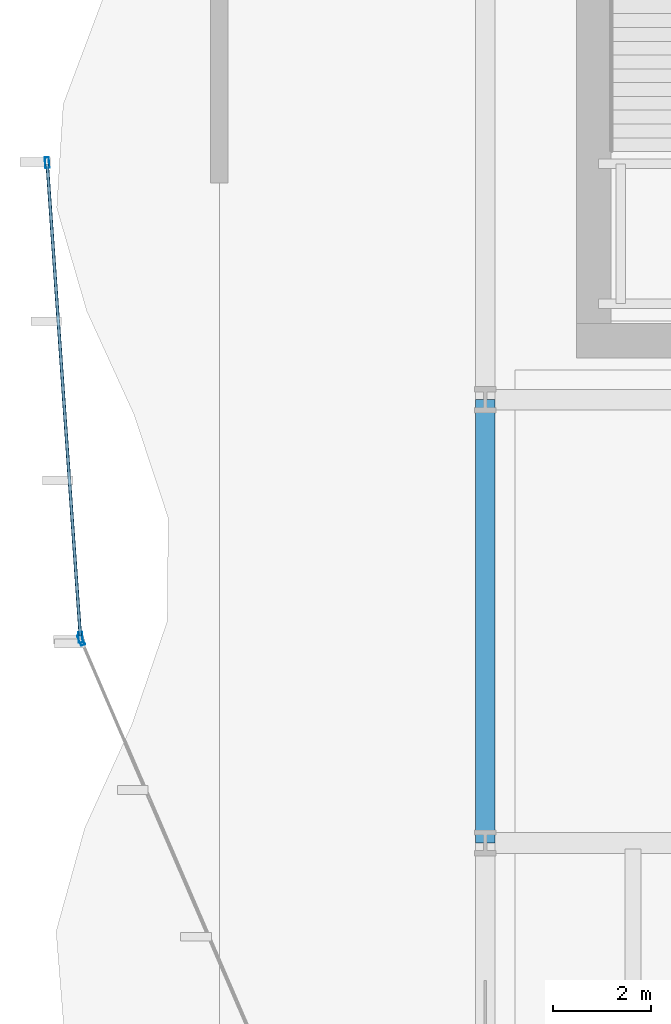
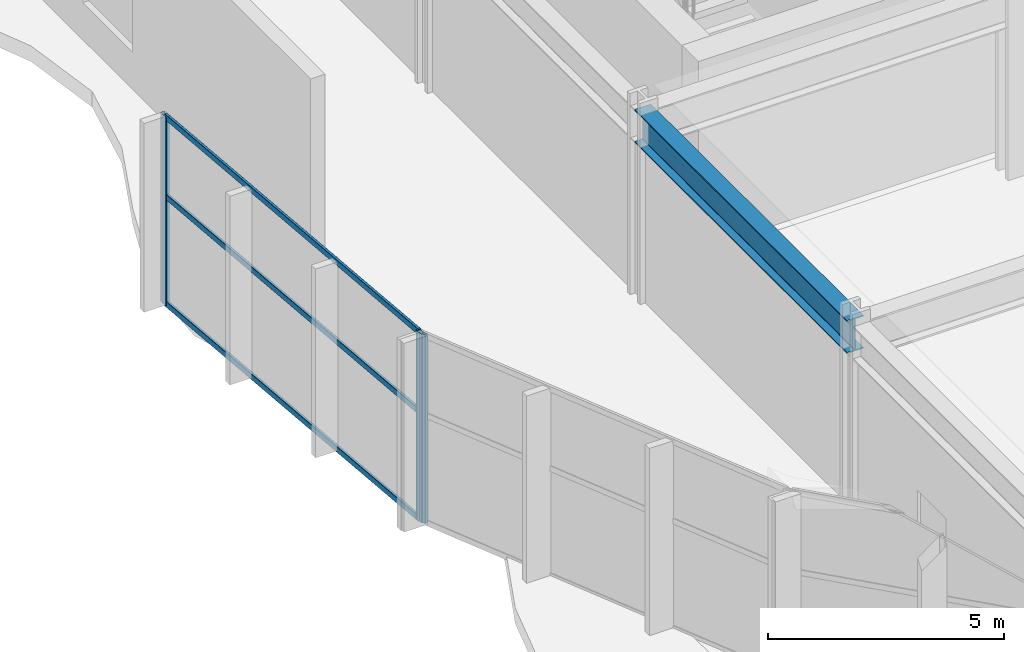
# One storey, part 5 of 31: 6 members, 1 beam, 2 elements without a shape of their own.
"""IFC4 building model written with IfcOpenShell, lengths in metres."""

from ifc_helpers import new_model, si_unit, direction, frame, origin, origin_2d, place, context, subcontext, project, spatial, hollow_rectangle, i_section, extrude, material, layer, layer_set, material_profile, profile_set, type_object, element, aggregate, save


model = new_model("IFC4")

# Units and contexts
model_context = context("Model", 3, precision=1e-05, world=origin(), true_north=direction((0.0, 1.0)))
body_context = subcontext(model_context, "Body", "Model", "MODEL_VIEW")
ifc_project = project(units=[si_unit("LENGTHUNIT", "METRE"), si_unit("AREAUNIT", "SQUARE_METRE"), si_unit("VOLUMEUNIT", "CUBIC_METRE"), si_unit("PLANEANGLEUNIT", "RADIAN"), si_unit("MASSUNIT", "GRAM", prefix="KILO")], contexts=[model_context])

# Site, building, storey
site_placement = place(None, origin())
site = spatial("IfcSite", under=ifc_project, at=site_placement, CompositionType="ELEMENT")
building_placement = place(site_placement, origin())
building = spatial("IfcBuilding", under=site, at=building_placement, Name="Solvaryn Broadcast Tower", CompositionType="ELEMENT")
storey_placement = place(building_placement, frame((0.0, 0.0, 11.0)))
storey = spatial("IfcBuildingStorey", under=building, at=storey_placement, Name="L02", CompositionType="ELEMENT", Elevation=11.0)

# Beam
ifc_material_1 = material(Name="Steel ASTM A992 Grade 50", Category="steel")
ifc_material_profile_1 = material_profile(ifc_material_1, i_section(OverallWidth=0.39990234375, OverallDepth=0.85498046875, WebThickness=0.018310546875, FlangeThickness=0.029296875, FilletRadius=0.02001953125, at=origin_2d()))
ifc_profile_set_1 = profile_set([ifc_material_profile_1], Name="Steel ASTM A992 Grade 50")
beam_type = type_object("IfcBeamType", Name="BM-G3-W33X201", PredefinedType="BEAM", material=ifc_profile_set_1)
beam_placement = place(storey_placement, frame((9.0, 18.0, 4.452392578125), z_axis=(0.0, 1.0, 0.0), x_axis=(-1.0, 0.0, 0.0)))
element("IfcBeam", 1, at=beam_placement, inside=storey, type_object=beam_type, Name="L02 Primary Beam Y (18-27 @ X=9)", PredefinedType="BEAM", context=body_context, shape_type="SweptSolid", body=[
    extrude(i_section(OverallWidth=0.39990234375, OverallDepth=0.85498046875, WebThickness=0.018310546875, FlangeThickness=0.029296875, FilletRadius=0.02001953125, at=origin_2d()), origin(), (0.0, 0.0, 1.0), 9.0),
])

# Curtain wall, members
ifc_material_2 = material(Name="Aluminium and Terracotta Unitised Curtain Wall", Category="masonry")
ifc_layer = layer(ifc_material_2, 0.219970703125)
ifc_layer_set = layer_set([ifc_layer], Name="CW-SYS1-PODIUM")
curtain_wall_type = type_object("IfcCurtainWallType", Name="CW-SYS1-PODIUM", PredefinedType="NOTDEFINED", material=ifc_layer_set)
curtain_wall_1_placement = place(storey_placement, origin())
curtain_wall_1 = element("IfcCurtainWall", 2, at=curtain_wall_1_placement, inside=storey, type_object=curtain_wall_type, Name="L02 Podium Curtain Wall DC1", PredefinedType="NOTDEFINED")
ifc_material_3 = material(Name="Anodised Aluminium 6063-T6", Category="aluminium")
ifc_material_profile_2 = material_profile(ifc_material_3, hollow_rectangle(XDim=0.0849609375, YDim=0.219970703125, WallThickness=0.0048828125, InnerFilletRadius=0.0048828125, OuterFilletRadius=0.010009765625, at=origin_2d()))
ifc_profile_set_2 = profile_set([ifc_material_profile_2], Name="Anodised Aluminium 6063-T6")
member_type_1 = type_object("IfcMemberType", Name="CW-MUL-220", PredefinedType="MULLION", material=ifc_profile_set_2)
member_1_placement = place(storey_placement, frame((0.10205078125, 31.815185546875, 0.0), z_axis=(0.0, 0.0, 1.0), x_axis=(0.997545627289, 0.070019436418, 0.0)))
member_1 = element("IfcMember", 3, at=member_1_placement, type_object=member_type_1, Name="CWS1 mullion 1", PredefinedType="MULLION", context=body_context, shape_type="SweptSolid", body=[
    extrude(hollow_rectangle(XDim=0.0849609375, YDim=0.219970703125, WallThickness=0.0048828125, InnerFilletRadius=0.0048828125, OuterFilletRadius=0.010009765625, at=origin_2d()), origin(), (0.0, 0.0, 1.0), 4.8798828125),
])
member_2_placement = place(storey_placement, frame((0.77880859375, 22.1728515625, 0.0), z_axis=(0.0, 0.0, 1.0), x_axis=(0.997545627289, 0.070019436418, 0.0)))
member_2 = element("IfcMember", 4, at=member_2_placement, type_object=member_type_1, Name="CWS1 mullion 2", PredefinedType="MULLION", context=body_context, shape_type="SweptSolid", body=[
    extrude(hollow_rectangle(XDim=0.0849609375, YDim=0.219970703125, WallThickness=0.0048828125, InnerFilletRadius=0.0048828125, OuterFilletRadius=0.010009765625, at=origin_2d()), origin(), (0.0, 0.0, 1.0), 4.8798828125),
])

# Curtain wall, member
curtain_wall_2_placement = place(storey_placement, origin())
curtain_wall_2 = element("IfcCurtainWall", 5, at=curtain_wall_2_placement, inside=storey, type_object=curtain_wall_type, Name="L02 Podium Curtain Wall DC2", PredefinedType="NOTDEFINED")
member_3_placement = place(storey_placement, frame((0.79296875, 22.115478515625, 0.0), z_axis=(0.0, 0.0, 1.0), x_axis=(0.918452267786, 0.395531834117, 0.0)))
member_3 = element("IfcMember", 6, at=member_3_placement, type_object=member_type_1, Name="CWS1 mullion 1", PredefinedType="MULLION", context=body_context, shape_type="SweptSolid", body=[
    extrude(hollow_rectangle(XDim=0.0849609375, YDim=0.219970703125, WallThickness=0.0048828125, InnerFilletRadius=0.0048828125, OuterFilletRadius=0.010009765625, at=origin_2d()), origin(), (0.0, 0.0, 1.0), 4.8798828125),
])
aggregate(curtain_wall_2, [member_3])

# Member
ifc_material_4 = material(Name="Anodised Aluminium 6063-T6", Category="aluminium")
ifc_material_profile_3 = material_profile(ifc_material_4, hollow_rectangle(XDim=0.06494140625, YDim=0.14990234375, WallThickness=0.00390625, InnerFilletRadius=0.00390625, OuterFilletRadius=0.008056640625, at=origin_2d()))
ifc_profile_set_3 = profile_set([ifc_material_profile_3], Name="Anodised Aluminium 6063-T6")
member_type_2 = type_object("IfcMemberType", Name="CW-TRN-150", PredefinedType="USERDEFINED", material=ifc_profile_set_3)
member_4_placement = place(storey_placement, frame((0.104248046875, 31.78515625, 0.030029296875), z_axis=(0.070020586024, -0.997545546596, 0.0), x_axis=(0.997545546596, 0.070020586024, 0.0)))
member_4 = element("IfcMember", 7, at=member_4_placement, type_object=member_type_2, Name="CWS1 transom 1.1", ObjectType="TRANSOM", PredefinedType="USERDEFINED", context=body_context, shape_type="SweptSolid", body=[
    extrude(hollow_rectangle(XDim=0.06494140625, YDim=0.14990234375, WallThickness=0.00390625, InnerFilletRadius=0.00390625, OuterFilletRadius=0.008056640625, at=origin_2d()), origin(), (0.0, 0.0, 1.0), 9.60595703125),
])

member_5_placement = place(storey_placement, frame((0.104248046875, 31.78515625, 2.800048828125), z_axis=(0.070020586024, -0.997545546596, 0.0), x_axis=(0.997545546596, 0.070020586024, 0.0)))
member_5 = element("IfcMember", 8, at=member_5_placement, type_object=member_type_2, Name="CWS1 transom 1.2", ObjectType="TRANSOM", PredefinedType="USERDEFINED", context=body_context, shape_type="SweptSolid", body=[
    extrude(hollow_rectangle(XDim=0.06494140625, YDim=0.14990234375, WallThickness=0.00390625, InnerFilletRadius=0.00390625, OuterFilletRadius=0.008056640625, at=origin_2d()), origin(), (0.0, 0.0, 1.0), 9.60595703125),
])

member_6_placement = place(storey_placement, frame((0.104248046875, 31.78515625, 4.85009765625), z_axis=(0.070020586024, -0.997545546596, 0.0), x_axis=(0.997545546596, 0.070020586024, 0.0)))
member_6 = element("IfcMember", 9, at=member_6_placement, type_object=member_type_2, Name="CWS1 transom 1.3", ObjectType="TRANSOM", PredefinedType="USERDEFINED", context=body_context, shape_type="SweptSolid", body=[
    extrude(hollow_rectangle(XDim=0.06494140625, YDim=0.14990234375, WallThickness=0.00390625, InnerFilletRadius=0.00390625, OuterFilletRadius=0.008056640625, at=origin_2d()), origin(), (0.0, 0.0, 1.0), 9.60595703125),
])

aggregate(curtain_wall_1, [member_1, member_2, member_4, member_5, member_6])

save(model, "model.ifc")
